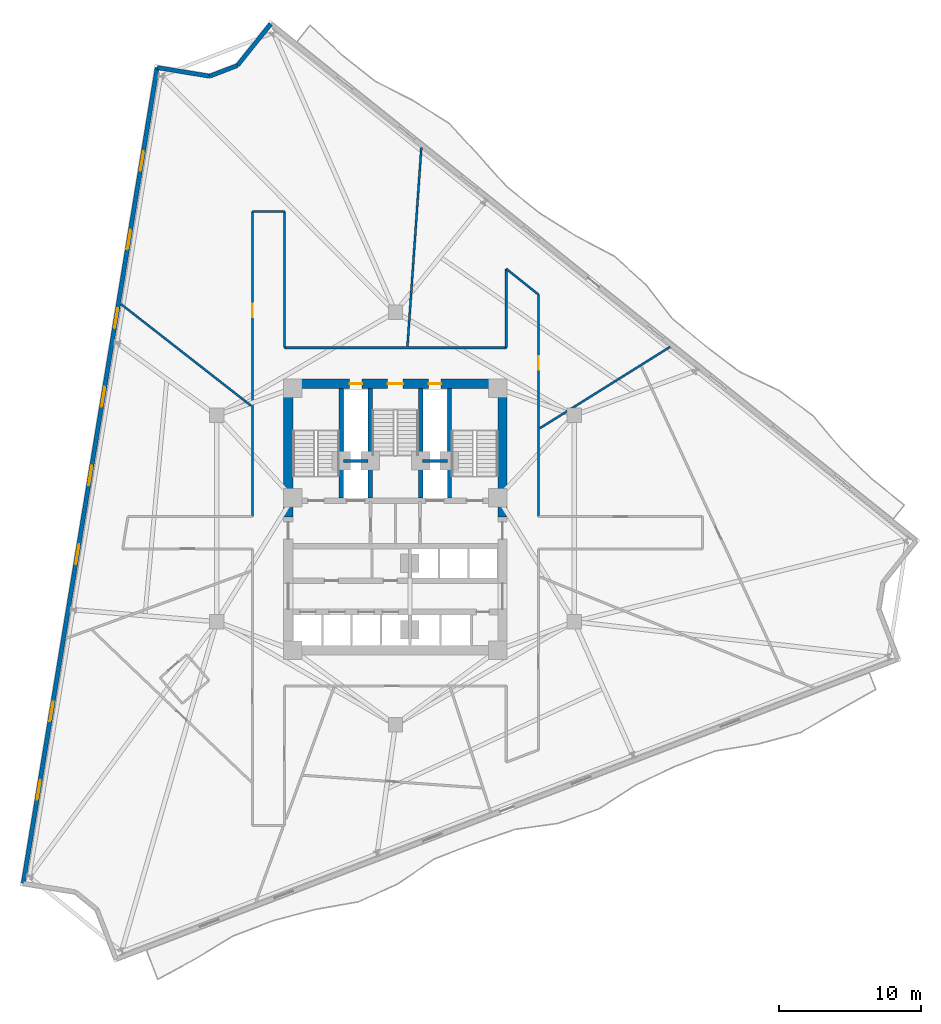
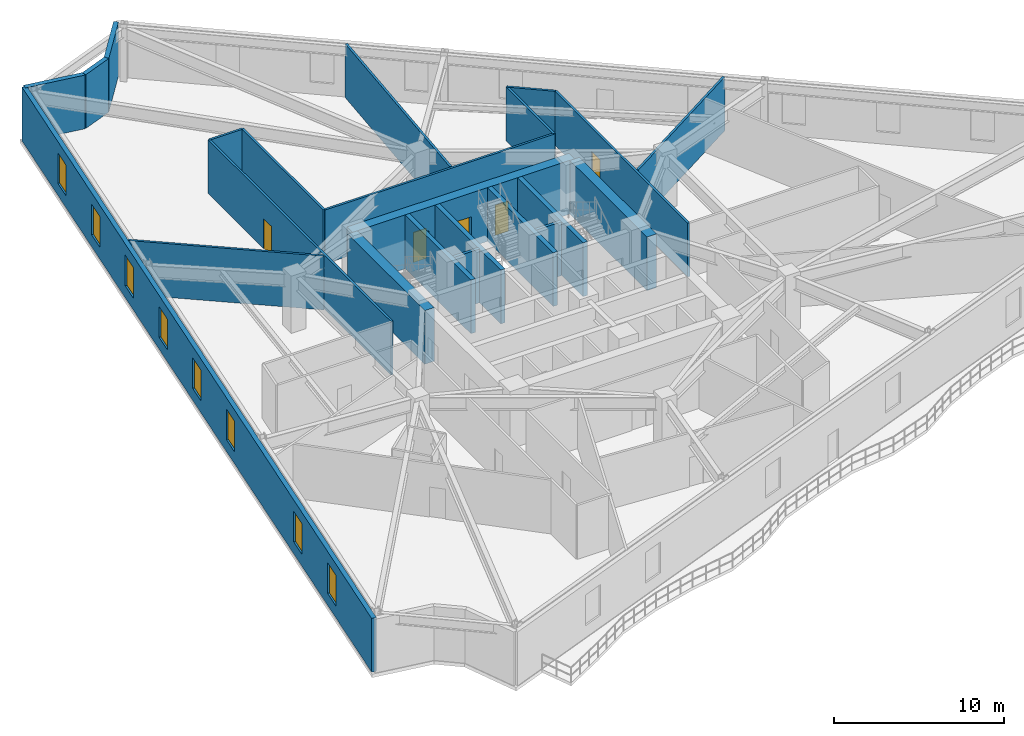
# One storey, part 6 of 10: 23 walls, 8 windows, 5 doors, 13 openings.
"""IFC4 building model written with IfcOpenShell, lengths in metres."""

import ifcopenshell
import ifcopenshell.guid

model = None  # the IFC model being written
_history = None  # IfcOwnerHistory: only IFC2X3 demands one
_inside = {}  # id of a spatial element -> (the spatial element, [elements in it])
_under = {}  # id of a project, library or spatial element -> (it, [spatial elements below it])
_declared = {}  # id of a project -> (the project, [libraries it declares])
_typed = {}  # id of a type object -> (the type object, [elements of that type])
_made_of = {}  # id of a material, layer set ... -> (it, [elements and type objects made of it])


def new_model(schema):
    """Start an empty IFC model of exactly this schema.

    Asked for "IFC4X3", IfcOpenShell would pick the latest addendum, in which some entities
    have other attributes; the version numbers below select the first issue.
    IFC2X3 requires an IfcOwnerHistory on every rooted entity: one is made here for all.
    """
    global model, _history
    if schema == "IFC4X3":
        model = ifcopenshell.file(schema_version=(4, 3, 0, 0))
    else:
        model = ifcopenshell.file(schema=schema)
    _inside.clear()
    _under.clear()
    _declared.clear()
    _typed.clear()
    _made_of.clear()
    _history = None
    if model.schema == "IFC2X3":
        org = make("IfcOrganization", Name="unknown")
        user = make(
            "IfcPersonAndOrganization",
            ThePerson=make("IfcPerson", FamilyName="unknown"),
            TheOrganization=org,
        )
        app = make(
            "IfcApplication",
            ApplicationDeveloper=org,
            Version="unknown",
            ApplicationFullName="unknown",
            ApplicationIdentifier="unknown",
        )
        _history = make(
            "IfcOwnerHistory",
            OwningUser=user,
            OwningApplication=app,
            ChangeAction="ADDED",
            CreationDate=0,
        )
    return model


def make(cls, **values):
    """One entity of the class cls with the attributes given. An attribute that is None is left unset."""
    return model.create_entity(
        cls, **{name: value for name, value in values.items() if value is not None}
    )


def rooted(cls, **values):
    """An entity with a GlobalId (a new one), such as an element, a storey or a relation."""
    return make(cls, GlobalId=ifcopenshell.guid.new(), OwnerHistory=_history, **values)


def si_unit(unit_type, name, prefix=None):
    """IfcSIUnit, for example si_unit("LENGTHUNIT", "METRE", prefix="MILLI")."""
    return make("IfcSIUnit", UnitType=unit_type, Prefix=prefix, Name=name)


def assignment(units):
    """IfcUnitAssignment: the units of a project."""
    return None if units is None else make("IfcUnitAssignment", Units=units)


def point(xyz):
    """IfcCartesianPoint."""
    return None if xyz is None else make("IfcCartesianPoint", Coordinates=xyz)


def direction(xyz):
    """IfcDirection."""
    return None if xyz is None else make("IfcDirection", DirectionRatios=xyz)


def frame(location, z_axis=None, x_axis=None):
    """IfcAxis2Placement3D, a coordinate frame: its origin and axes. An axis left out is left unset."""
    return make(
        "IfcAxis2Placement3D",
        Location=point(location),
        Axis=direction(z_axis),
        RefDirection=direction(x_axis),
    )


def frame_2d(location, x_axis=None):
    """IfcAxis2Placement2D, a coordinate frame in the plane: its origin and x axis."""
    return make(
        "IfcAxis2Placement2D", Location=point(location), RefDirection=direction(x_axis)
    )


def origin():
    """The frame at (0, 0, 0) with its axes left unset."""
    return frame((0.0, 0.0, 0.0))


def place(relative_to, where):
    """IfcLocalPlacement: puts the frame where relative to a parent placement (None: the world)."""
    return make(
        "IfcLocalPlacement", PlacementRelTo=relative_to, RelativePlacement=where
    )


def context(
    kind, dimensions, precision=None, world=None, true_north=None, identifier=None
):
    """IfcGeometricRepresentationContext, for example the 3D "Model" context."""
    return make(
        "IfcGeometricRepresentationContext",
        ContextIdentifier=identifier,
        ContextType=kind,
        CoordinateSpaceDimension=dimensions,
        Precision=precision,
        WorldCoordinateSystem=world,
        TrueNorth=true_north,
    )


def subcontext(parent, identifier, kind, view, scale=None):
    """IfcGeometricRepresentationSubContext, for example "Body" below "Model"."""
    return make(
        "IfcGeometricRepresentationSubContext",
        ContextIdentifier=identifier,
        ContextType=kind,
        ParentContext=parent,
        TargetScale=scale,
        TargetView=view,
    )


def project(units=None, contexts=None):
    """IfcProject with its units and contexts."""
    return rooted(
        "IfcProject",
        Name="project",
        RepresentationContexts=contexts,
        UnitsInContext=assignment(units),
    )


def spatial(cls, under=None, at=None, **own):
    """A site, building, storey or space (cls), placed at a placement, below another one or the project."""
    s = rooted(cls, ObjectPlacement=at, **own)
    if under is not None:
        _under.setdefault(under.id(), (under, []))[1].append(s)
    return s


def profile(cls, at=None, kind="AREA", **sizes):
    """A parametric profile (cls). Its sizes go by their IFC names, for example OverallWidth=200.0."""
    return make(cls, ProfileType=kind, Position=at, **sizes)


def rectangle(**sizes):
    """IfcRectangleProfileDef."""
    return profile("IfcRectangleProfileDef", **sizes)


def extrude(swept, where, along, depth):
    """IfcExtrudedAreaSolid: the profile swept, set in the frame where, extruded along a direction by depth."""
    return make(
        "IfcExtrudedAreaSolid",
        SweptArea=swept,
        Position=where,
        ExtrudedDirection=direction(along),
        Depth=depth,
    )


def shape(context_of_items, identifier, shape_type, items):
    """IfcShapeRepresentation: the items that make up one representation, for example the "Body"."""
    return make(
        "IfcShapeRepresentation",
        ContextOfItems=context_of_items,
        RepresentationIdentifier=identifier,
        RepresentationType=shape_type,
        Items=items,
    )


def material(Name=None, Category=None):
    """IfcMaterial."""
    return make("IfcMaterial", Name=Name, Category=Category)


def layer(
    of_material, thickness, ventilated=None, Name=None, Category=None, Priority=None
):
    """IfcMaterialLayer: one layer of a wall or slab, of a material (None: an air gap)."""
    return make(
        "IfcMaterialLayer",
        Material=of_material,
        LayerThickness=thickness,
        IsVentilated=ventilated,
        Name=Name,
        Category=Category,
        Priority=Priority,
    )


def layer_set(layers, Name=None):
    """IfcMaterialLayerSet."""
    return make("IfcMaterialLayerSet", MaterialLayers=layers, LayerSetName=Name)


def made_of(thing, what):
    """Note that an element or type object is made of a material, layer set ...; save() writes the relation."""
    if what is not None:
        _made_of.setdefault(what.id(), (what, []))[1].append(thing)
    return thing


def type_object(cls, material=None, **own):
    """A type object (cls), such as IfcWallType, which elements share."""
    return made_of(rooted(cls, **own), material)


def element(
    cls,
    number,
    at=None,
    inside=None,
    cuts=None,
    type_object=None,
    material=None,
    context=None,
    identifier="Body",
    shape_type=None,
    held_by="IfcProductDefinitionShape",
    body=None,
    shapes=None,
    **own,
):
    """One element of the class cls, such as IfcWall. Its Tag is "e" and its number.

    at: its placement. inside: the storey or other place that contains it. cuts: it is an
    opening in that element (IfcRelVoidsElement). A single representation is given by context,
    identifier, shape_type and body (its items); several are given by shapes. held_by: the class
    of the entity that holds the representations. save() writes the other relations.
    """
    e = rooted(cls, Tag="e%d" % number, ObjectPlacement=at, **own)
    if body is not None:
        shapes = [shape(context, identifier, shape_type, body)]
    if shapes is not None:
        e.Representation = make(held_by, Representations=shapes)
    if inside is not None:
        _inside.setdefault(inside.id(), (inside, []))[1].append(e)
    if cuts is not None:
        rooted(
            "IfcRelVoidsElement", RelatingBuildingElement=cuts, RelatedOpeningElement=e
        )
    if type_object is not None:
        _typed.setdefault(type_object.id(), (type_object, []))[1].append(e)
    return made_of(e, material)


def fill(opening, filler):
    """IfcRelFillsElement: the door or window that sits in an opening."""
    return rooted(
        "IfcRelFillsElement",
        RelatingOpeningElement=opening,
        RelatedBuildingElement=filler,
    )


def aggregate(whole, parts):
    """IfcRelAggregates: a whole, such as a stair, and the parts it consists of."""
    return rooted("IfcRelAggregates", RelatingObject=whole, RelatedObjects=parts)


def save(model, path):
    """Write the relations noted so far, then the file.

    IfcRelAggregates (storeys below a building ...), IfcRelContainedInSpatialStructure (elements
    in a storey), IfcRelDefinesByType, IfcRelAssociatesMaterial and IfcRelDeclares: one each for
    every whole, place, type object, material and project.
    """
    for whole, parts in _under.values():
        aggregate(whole, parts)
    for where, things in _inside.values():
        rooted(
            "IfcRelContainedInSpatialStructure",
            RelatedElements=things,
            RelatingStructure=where,
        )
    for kind, things in _typed.values():
        rooted("IfcRelDefinesByType", RelatedObjects=things, RelatingType=kind)
    for what, things in _made_of.values():
        rooted("IfcRelAssociatesMaterial", RelatedObjects=things, RelatingMaterial=what)
    for by, libraries in _declared.values():
        rooted("IfcRelDeclares", RelatingContext=by, RelatedDefinitions=libraries)
    model.write(path)


model = new_model("IFC4")

# Units and contexts
model_context = context("Model", 3, precision=1e-05, world=origin(), true_north=direction((0.0, 1.0)))
body_context = subcontext(model_context, "Body", "Model", "MODEL_VIEW")
ifc_project = project(units=[si_unit("LENGTHUNIT", "METRE"), si_unit("AREAUNIT", "SQUARE_METRE"), si_unit("VOLUMEUNIT", "CUBIC_METRE"), si_unit("PLANEANGLEUNIT", "RADIAN"), si_unit("MASSUNIT", "GRAM", prefix="KILO")], contexts=[model_context])

# Site, building, storey
site_placement = place(None, origin())
site = spatial("IfcSite", under=ifc_project, at=site_placement, CompositionType="ELEMENT")
building_placement = place(site_placement, origin())
building = spatial("IfcBuilding", under=site, at=building_placement, Name="Apsidion Concourse Tower", CompositionType="ELEMENT")
storey_placement = place(building_placement, frame((0.0, 0.0, 136.300048828125)))
storey = spatial("IfcBuildingStorey", under=building, at=storey_placement, Name="L31", CompositionType="ELEMENT", Elevation=136.300048828125)

# Wall, openings, windows
ifc_material_1 = material(Name="Precast concrete C40/50", Category="concrete")
ifc_layer_1 = layer(ifc_material_1, 0.300048828125)
ifc_layer_set_1 = layer_set([ifc_layer_1], Name="Precast concrete C40/50")
wall_type_1 = type_object("IfcWallType", Name="WL-EXT-300", PredefinedType="STANDARD", material=ifc_layer_set_1)
wall_1_placement = place(storey_placement, frame((-26.149658203125, -25.64013671875, 0.0), z_axis=(0.0, 0.0, 1.0), x_axis=(0.161975761987, 0.986794736776, 0.0)))
wall_1 = element("IfcWall", 1, at=wall_1_placement, inside=storey, type_object=wall_type_1, Name="L31 Precast Stone Facade Wall 09", PredefinedType="STANDARD", context=body_context, shape_type="SweptSolid", body=[
    extrude(rectangle(XDim=58.093017578125, YDim=0.300048828125, at=frame_2d((29.04638671875, 0.0))), origin(), (0.0, 0.0, 1.0), 3.849853515625),
])
opening_1_placement = place(wall_1_placement, frame((5.946533203125, 0.0, 0.85009765625)))
opening_1 = element("IfcOpeningElement", 2, at=opening_1_placement, cuts=wall_1, Name="Opening WN-05", PredefinedType="OPENING", context=body_context, shape_type="SweptSolid", body=[
    extrude(rectangle(XDim=1.39990234375, YDim=2.199951171875, at=frame_2d((0.699951171875, 1.10009765625))), frame((0.0, 0.16015625, 0.0), z_axis=(0.0, -1.0, 0.0), x_axis=(1.0, 0.0, 0.0)), (0.0, 0.0, 1.0), 0.320068359375),
])
opening_2_placement = place(wall_1_placement, frame((11.54638671875, 0.0, 0.85009765625)))
opening_2 = element("IfcOpeningElement", 3, at=opening_2_placement, cuts=wall_1, Name="Opening WN-05", PredefinedType="OPENING", context=body_context, shape_type="SweptSolid", body=[
    extrude(rectangle(XDim=1.39990234375, YDim=2.199951171875, at=frame_2d((0.699951171875, 1.10009765625))), frame((0.0, 0.16015625, 0.0), z_axis=(0.0, -1.0, 0.0), x_axis=(1.0, 0.0, 0.0)), (0.0, 0.0, 1.0), 0.320068359375),
])
opening_3_placement = place(wall_1_placement, frame((22.74658203125, 0.0, 0.85009765625)))
opening_3 = element("IfcOpeningElement", 4, at=opening_3_placement, cuts=wall_1, Name="Opening WN-05", PredefinedType="OPENING", context=body_context, shape_type="SweptSolid", body=[
    extrude(rectangle(XDim=1.39990234375, YDim=2.199951171875, at=frame_2d((0.699951171875, 1.10009765625))), frame((0.0, 0.16015625, 0.0), z_axis=(0.0, -1.0, 0.0), x_axis=(1.0, 0.0, 0.0)), (0.0, 0.0, 1.0), 0.320068359375),
])
opening_4_placement = place(wall_1_placement, frame((28.346435546875, 0.0, 0.85009765625)))
opening_4 = element("IfcOpeningElement", 5, at=opening_4_placement, cuts=wall_1, Name="Opening WN-05", PredefinedType="OPENING", context=body_context, shape_type="SweptSolid", body=[
    extrude(rectangle(XDim=1.39990234375, YDim=2.199951171875, at=frame_2d((0.699951171875, 1.10009765625))), frame((0.0, 0.16015625, 0.0), z_axis=(0.0, -1.0, 0.0), x_axis=(1.0, 0.0, 0.0)), (0.0, 0.0, 1.0), 0.320068359375),
])
opening_5_placement = place(wall_1_placement, frame((33.946533203125, 0.0, 0.85009765625)))
opening_5 = element("IfcOpeningElement", 6, at=opening_5_placement, cuts=wall_1, Name="Opening WN-05", PredefinedType="OPENING", context=body_context, shape_type="SweptSolid", body=[
    extrude(rectangle(XDim=1.39990234375, YDim=2.199951171875, at=frame_2d((0.699951171875, 1.10009765625))), frame((0.0, 0.16015625, 0.0), z_axis=(0.0, -1.0, 0.0), x_axis=(1.0, 0.0, 0.0)), (0.0, 0.0, 1.0), 0.320068359375),
])
opening_6_placement = place(wall_1_placement, frame((39.54638671875, 0.0, 0.85009765625)))
opening_6 = element("IfcOpeningElement", 7, at=opening_6_placement, cuts=wall_1, Name="Opening WN-05", PredefinedType="OPENING", context=body_context, shape_type="SweptSolid", body=[
    extrude(rectangle(XDim=1.39990234375, YDim=2.199951171875, at=frame_2d((0.699951171875, 1.10009765625))), frame((0.0, 0.16015625, 0.0), z_axis=(0.0, -1.0, 0.0), x_axis=(1.0, 0.0, 0.0)), (0.0, 0.0, 1.0), 0.320068359375),
])
opening_7_placement = place(wall_1_placement, frame((45.146484375, 0.0, 0.85009765625)))
opening_7 = element("IfcOpeningElement", 8, at=opening_7_placement, cuts=wall_1, Name="Opening WN-05", PredefinedType="OPENING", context=body_context, shape_type="SweptSolid", body=[
    extrude(rectangle(XDim=1.39990234375, YDim=2.199951171875, at=frame_2d((0.699951171875, 1.10009765625))), frame((0.0, 0.16015625, 0.0), z_axis=(0.0, -1.0, 0.0), x_axis=(1.0, 0.0, 0.0)), (0.0, 0.0, 1.0), 0.320068359375),
])
opening_8_placement = place(wall_1_placement, frame((50.74658203125, 0.0, 0.85009765625)))
opening_8 = element("IfcOpeningElement", 9, at=opening_8_placement, cuts=wall_1, Name="Opening WN-05", PredefinedType="OPENING", context=body_context, shape_type="SweptSolid", body=[
    extrude(rectangle(XDim=1.39990234375, YDim=2.199951171875, at=frame_2d((0.699951171875, 1.10009765625))), frame((0.0, 0.16015625, 0.0), z_axis=(0.0, -1.0, 0.0), x_axis=(1.0, 0.0, 0.0)), (0.0, 0.0, 1.0), 0.320068359375),
])
ifc_material_2 = material(Name="Insulated laminated low-E glass", Category="glass")
window_type = type_object("IfcWindowType", Name="WN-OFF-1424", PartitioningType="SINGLE_PANEL", PredefinedType="WINDOW", material=ifc_material_2)
window_1_placement = place(opening_1_placement, origin())
window_1 = element("IfcWindow", 10, at=window_1_placement, inside=storey, type_object=window_type, Name="L31 Punched Facade Window 9-01", OverallHeight=2.199951171875, OverallWidth=1.39990234375, PartitioningType="SINGLE_PANEL", PredefinedType="WINDOW", context=body_context, shape_type="SweptSolid", body=[
    extrude(rectangle(XDim=1.39990234375, YDim=2.199951171875, at=frame_2d((0.699951171875, 1.10009765625))), frame((0.0, 0.030029296875, 0.0), z_axis=(0.0, -1.0, 0.0), x_axis=(1.0, 0.0, 0.0)), (0.0, 0.0, 1.0), 0.06005859375),
])
fill(opening_1, window_1)
window_2_placement = place(opening_2_placement, origin())
window_2 = element("IfcWindow", 11, at=window_2_placement, inside=storey, type_object=window_type, Name="L31 Punched Facade Window 9-02", OverallHeight=2.199951171875, OverallWidth=1.39990234375, PartitioningType="SINGLE_PANEL", PredefinedType="WINDOW", context=body_context, shape_type="SweptSolid", body=[
    extrude(rectangle(XDim=1.39990234375, YDim=2.199951171875, at=frame_2d((0.699951171875, 1.10009765625))), frame((0.0, 0.030029296875, 0.0), z_axis=(0.0, -1.0, 0.0), x_axis=(1.0, 0.0, 0.0)), (0.0, 0.0, 1.0), 0.06005859375),
])
fill(opening_2, window_2)
window_3_placement = place(opening_3_placement, origin())
window_3 = element("IfcWindow", 12, at=window_3_placement, inside=storey, type_object=window_type, Name="L31 Punched Facade Window 9-04", OverallHeight=2.199951171875, OverallWidth=1.39990234375, PartitioningType="SINGLE_PANEL", PredefinedType="WINDOW", context=body_context, shape_type="SweptSolid", body=[
    extrude(rectangle(XDim=1.39990234375, YDim=2.199951171875, at=frame_2d((0.699951171875, 1.10009765625))), frame((0.0, 0.030029296875, 0.0), z_axis=(0.0, -1.0, 0.0), x_axis=(1.0, 0.0, 0.0)), (0.0, 0.0, 1.0), 0.06005859375),
])
fill(opening_3, window_3)
window_4_placement = place(opening_4_placement, origin())
window_4 = element("IfcWindow", 13, at=window_4_placement, inside=storey, type_object=window_type, Name="L31 Punched Facade Window 9-05", OverallHeight=2.199951171875, OverallWidth=1.39990234375, PartitioningType="SINGLE_PANEL", PredefinedType="WINDOW", context=body_context, shape_type="SweptSolid", body=[
    extrude(rectangle(XDim=1.39990234375, YDim=2.199951171875, at=frame_2d((0.699951171875, 1.10009765625))), frame((0.0, 0.030029296875, 0.0), z_axis=(0.0, -1.0, 0.0), x_axis=(1.0, 0.0, 0.0)), (0.0, 0.0, 1.0), 0.06005859375),
])
fill(opening_4, window_4)
window_5_placement = place(opening_5_placement, origin())
window_5 = element("IfcWindow", 14, at=window_5_placement, inside=storey, type_object=window_type, Name="L31 Punched Facade Window 9-06", OverallHeight=2.199951171875, OverallWidth=1.39990234375, PartitioningType="SINGLE_PANEL", PredefinedType="WINDOW", context=body_context, shape_type="SweptSolid", body=[
    extrude(rectangle(XDim=1.39990234375, YDim=2.199951171875, at=frame_2d((0.699951171875, 1.10009765625))), frame((0.0, 0.030029296875, 0.0), z_axis=(0.0, -1.0, 0.0), x_axis=(1.0, 0.0, 0.0)), (0.0, 0.0, 1.0), 0.06005859375),
])
fill(opening_5, window_5)
window_6_placement = place(opening_6_placement, origin())
window_6 = element("IfcWindow", 15, at=window_6_placement, inside=storey, type_object=window_type, Name="L31 Punched Facade Window 9-07", OverallHeight=2.199951171875, OverallWidth=1.39990234375, PartitioningType="SINGLE_PANEL", PredefinedType="WINDOW", context=body_context, shape_type="SweptSolid", body=[
    extrude(rectangle(XDim=1.39990234375, YDim=2.199951171875, at=frame_2d((0.699951171875, 1.10009765625))), frame((0.0, 0.030029296875, 0.0), z_axis=(0.0, -1.0, 0.0), x_axis=(1.0, 0.0, 0.0)), (0.0, 0.0, 1.0), 0.06005859375),
])
fill(opening_6, window_6)
window_7_placement = place(opening_7_placement, origin())
window_7 = element("IfcWindow", 16, at=window_7_placement, inside=storey, type_object=window_type, Name="L31 Punched Facade Window 9-08", OverallHeight=2.199951171875, OverallWidth=1.39990234375, PartitioningType="SINGLE_PANEL", PredefinedType="WINDOW", context=body_context, shape_type="SweptSolid", body=[
    extrude(rectangle(XDim=1.39990234375, YDim=2.199951171875, at=frame_2d((0.699951171875, 1.10009765625))), frame((0.0, 0.030029296875, 0.0), z_axis=(0.0, -1.0, 0.0), x_axis=(1.0, 0.0, 0.0)), (0.0, 0.0, 1.0), 0.06005859375),
])
fill(opening_7, window_7)
window_8_placement = place(opening_8_placement, origin())
window_8 = element("IfcWindow", 17, at=window_8_placement, inside=storey, type_object=window_type, Name="L31 Punched Facade Window 9-09", OverallHeight=2.199951171875, OverallWidth=1.39990234375, PartitioningType="SINGLE_PANEL", PredefinedType="WINDOW", context=body_context, shape_type="SweptSolid", body=[
    extrude(rectangle(XDim=1.39990234375, YDim=2.199951171875, at=frame_2d((0.699951171875, 1.10009765625))), frame((0.0, 0.030029296875, 0.0), z_axis=(0.0, -1.0, 0.0), x_axis=(1.0, 0.0, 0.0)), (0.0, 0.0, 1.0), 0.06005859375),
])
fill(opening_8, window_8)

# Walls
wall_2_placement = place(storey_placement, frame((-16.739990234375, 31.685791015625, 0.0), z_axis=(0.0, 0.0, 1.0), x_axis=(0.986793455184, -0.161983569556, 0.0)))
element("IfcWall", 18, at=wall_2_placement, inside=storey, type_object=wall_type_1, Name="L31 Precast Stone Facade Wall 10", PredefinedType="STANDARD", context=body_context, shape_type="SweptSolid", body=[
    extrude(rectangle(XDim=3.73779296875, YDim=0.300048828125, at=frame_2d((1.868896484375, 0.0))), origin(), (0.0, 0.0, 1.0), 3.849853515625),
])
wall_3_placement = place(storey_placement, frame((-13.051513671875, 31.080322265625, 0.0), z_axis=(0.0, 0.0, 1.0), x_axis=(0.933582919313, 0.35836145547, 0.0)))
element("IfcWall", 19, at=wall_3_placement, inside=storey, type_object=wall_type_1, Name="L31 Precast Stone Facade Wall 11", PredefinedType="STANDARD", context=body_context, shape_type="SweptSolid", body=[
    extrude(rectangle(XDim=2.0927734375, YDim=0.300048828125, at=frame_2d((1.04638671875, 0.0))), origin(), (0.0, 0.0, 1.0), 3.849853515625),
])
wall_4_placement = place(storey_placement, frame((-11.09765625, 31.830322265625, 0.0), z_axis=(0.0, 0.0, 1.0), x_axis=(0.624949908599, 0.78066485238, 0.0)))
element("IfcWall", 20, at=wall_4_placement, inside=storey, type_object=wall_type_1, Name="L31 Precast Stone Facade Wall 12", PredefinedType="STANDARD", context=body_context, shape_type="SweptSolid", body=[
    extrude(rectangle(XDim=3.73779296875, YDim=0.300048828125, at=frame_2d((1.868896484375, 0.0))), origin(), (0.0, 0.0, 1.0), 3.849853515625),
])

# Wall, opening, door
ifc_material_3 = material(Name="Gypsum plasterboard partition")
ifc_layer_2 = layer(ifc_material_3, 0.14990234375)
ifc_layer_set_2 = layer_set([ifc_layer_2], Name="Gypsum plasterboard partition")
wall_type_2 = type_object("IfcWallType", Name="WL-INT-PAR-150", PredefinedType="PARTITIONING", material=ifc_layer_set_2)
wall_5_placement = place(storey_placement, frame((-10.050048828125, 0.1298828125, 0.0), z_axis=(0.0, 0.0, 1.0), x_axis=(0.0, 1.0, 0.0)))
wall_5 = element("IfcWall", 21, at=wall_5_placement, inside=storey, type_object=wall_type_2, Name="L31 Interior Partition WL-L31-CORR-10", PredefinedType="PARTITIONING", context=body_context, shape_type="SweptSolid", body=[
    extrude(rectangle(XDim=21.4501953125, YDim=0.14990234375, at=frame_2d((10.72509765625, 0.0))), origin(), (0.0, 0.0, 1.0), 3.849853515625),
])
opening_9_placement = place(wall_5_placement, frame((14.025146484375, 0.0, 0.0)))
opening_9 = element("IfcOpeningElement", 22, at=opening_9_placement, cuts=wall_5, Name="Opening D-01L", PredefinedType="OPENING", context=body_context, shape_type="SweptSolid", body=[
    extrude(rectangle(XDim=0.949951171875, YDim=2.14990234375, at=frame_2d((0.47509765625, 1.074951171875))), frame((0.0, 0.0849609375, 0.0), z_axis=(0.0, -1.0, 0.0), x_axis=(1.0, 0.0, 0.0)), (0.0, 0.0, 1.0), 0.169921875),
])
ifc_material_4 = material(Name="Brushed stainless steel 316", Category="steel")
door_type_1 = type_object("IfcDoorType", Name="DR-INT-D01L", OperationType="SINGLE_SWING_LEFT", PredefinedType="DOOR", material=ifc_material_4)
door_1_placement = place(opening_9_placement, origin())
door_1 = element("IfcDoor", 23, at=door_1_placement, inside=storey, type_object=door_type_1, Name="L31 Corridor Entry Door 07", OperationType="SINGLE_SWING_LEFT", OverallHeight=2.14990234375, OverallWidth=0.949951171875, PredefinedType="DOOR", context=body_context, shape_type="SweptSolid", body=[
    extrude(rectangle(XDim=0.949951171875, YDim=2.14990234375, at=frame_2d((0.47509765625, 1.074951171875))), frame((0.0, 0.02490234375, 0.0), z_axis=(0.0, -1.0, 0.0), x_axis=(1.0, 0.0, 0.0)), (0.0, 0.0, 1.0), 0.050048828125),
])
fill(opening_9, door_1)

# Walls
wall_6_placement = place(storey_placement, frame((-10.050048828125, 21.580078125, 0.0), z_axis=(0.0, 0.0, 1.0), x_axis=(1.0, 0.0, 0.0)))
element("IfcWall", 24, at=wall_6_placement, inside=storey, type_object=wall_type_2, Name="L31 Interior Partition WL-L31-CORR-11", PredefinedType="PARTITIONING", context=body_context, shape_type="SweptSolid", body=[
    extrude(rectangle(XDim=2.260009765625, YDim=0.14990234375, at=frame_2d((1.1298828125, 0.0))), origin(), (0.0, 0.0, 1.0), 3.849853515625),
])
wall_7_placement = place(storey_placement, frame((-7.7900390625, 21.580078125, 0.0), z_axis=(0.0, 0.0, 1.0), x_axis=(0.0, -1.0, 0.0)))
element("IfcWall", 25, at=wall_7_placement, inside=storey, type_object=wall_type_2, Name="L31 Interior Partition WL-L31-CORR-12", PredefinedType="PARTITIONING", context=body_context, shape_type="SweptSolid", body=[
    extrude(rectangle(XDim=9.580078125, YDim=0.14990234375, at=frame_2d((4.7900390625, 0.0))), origin(), (0.0, 0.0, 1.0), 3.849853515625),
])
wall_8_placement = place(storey_placement, frame((-7.7900390625, 12.0, 0.0), z_axis=(0.0, 0.0, 1.0), x_axis=(1.0, 0.0, 0.0)))
element("IfcWall", 26, at=wall_8_placement, inside=storey, type_object=wall_type_2, Name="L31 Interior Partition WL-L31-CORR-13", PredefinedType="PARTITIONING", context=body_context, shape_type="SweptSolid", body=[
    extrude(rectangle(XDim=15.580078125, YDim=0.14990234375, at=frame_2d((7.7900390625, 0.0))), origin(), (0.0, 0.0, 1.0), 3.849853515625),
])
wall_9_placement = place(storey_placement, frame((7.7900390625, 12.0, 0.0), z_axis=(0.0, 0.0, 1.0), x_axis=(0.0, 1.0, 0.0)))
element("IfcWall", 27, at=wall_9_placement, inside=storey, type_object=wall_type_2, Name="L31 Interior Partition WL-L31-CORR-14", PredefinedType="PARTITIONING", context=body_context, shape_type="SweptSolid", body=[
    extrude(rectangle(XDim=5.546630859375, YDim=0.14990234375, at=frame_2d((2.7734375, 0.0))), origin(), (0.0, 0.0, 1.0), 3.849853515625),
])
wall_10_placement = place(storey_placement, frame((7.7900390625, 17.546630859375, 0.0), z_axis=(0.0, 0.0, 1.0), x_axis=(0.780646621428, -0.624972681366, 0.0)))
element("IfcWall", 28, at=wall_10_placement, inside=storey, type_object=wall_type_2, Name="L31 Interior Partition WL-L31-CORR-15", PredefinedType="PARTITIONING", context=body_context, shape_type="SweptSolid", body=[
    extrude(rectangle(XDim=2.89501953125, YDim=0.14990234375, at=frame_2d((1.447509765625, 0.0))), origin(), (0.0, 0.0, 1.0), 3.849853515625),
])

# Wall, opening, door
wall_11_placement = place(storey_placement, frame((10.050048828125, 15.7373046875, 0.0), z_axis=(0.0, 0.0, 1.0), x_axis=(0.0, -1.0, 0.0)))
wall_11 = element("IfcWall", 29, at=wall_11_placement, inside=storey, type_object=wall_type_2, Name="L31 Interior Partition WL-L31-CORR-16", PredefinedType="PARTITIONING", context=body_context, shape_type="SweptSolid", body=[
    extrude(rectangle(XDim=15.607421875, YDim=0.14990234375, at=frame_2d((7.8037109375, 0.0))), origin(), (0.0, 0.0, 1.0), 3.849853515625),
])
opening_10_placement = place(wall_11_placement, frame((4.34912109375, 0.0, 0.0)))
opening_10 = element("IfcOpeningElement", 30, at=opening_10_placement, cuts=wall_11, Name="Opening D-01R", PredefinedType="OPENING", context=body_context, shape_type="SweptSolid", body=[
    extrude(rectangle(XDim=0.949951171875, YDim=2.14990234375, at=frame_2d((0.47509765625, 1.074951171875))), frame((0.0, 0.0849609375, 0.0), z_axis=(0.0, -1.0, 0.0), x_axis=(1.0, 0.0, 0.0)), (0.0, 0.0, 1.0), 0.169921875),
])
door_type_2 = type_object("IfcDoorType", Name="DR-INT-D01R", OperationType="SINGLE_SWING_RIGHT", PredefinedType="DOOR", material=ifc_material_4)
door_2_placement = place(opening_10_placement, origin())
door_2 = element("IfcDoor", 31, at=door_2_placement, inside=storey, type_object=door_type_2, Name="L31 Corridor Entry Door 06", OperationType="SINGLE_SWING_RIGHT", OverallHeight=2.14990234375, OverallWidth=0.949951171875, PredefinedType="DOOR", context=body_context, shape_type="SweptSolid", body=[
    extrude(rectangle(XDim=0.949951171875, YDim=2.14990234375, at=frame_2d((0.47509765625, 1.074951171875))), frame((0.0, 0.02490234375, 0.0), z_axis=(0.0, -1.0, 0.0), x_axis=(1.0, 0.0, 0.0)), (0.0, 0.0, 1.0), 0.050048828125),
])
fill(opening_10, door_2)

# Walls
wall_12_placement = place(storey_placement, frame((10.155029296875, 6.345458984375, 0.0), z_axis=(0.0, 0.0, 1.0), x_axis=(0.848042773612, 0.52992778199, 0.0)))
element("IfcWall", 32, at=wall_12_placement, inside=storey, type_object=wall_type_2, Name="L31 Interior Partition WL-L31-RAD-01-1", PredefinedType="PARTITIONING", context=body_context, shape_type="SweptSolid", body=[
    extrude(rectangle(XDim=10.79443359375, YDim=0.14990234375, at=frame_2d((5.397216796875, 0.0))), origin(), (0.0, 0.0, 1.0), 3.849853515625),
])
wall_13_placement = place(storey_placement, frame((0.846435546875, 12.10498046875, 0.0), z_axis=(0.0, 0.0, 1.0), x_axis=(0.069754122886, 0.997564214645, 0.0)))
element("IfcWall", 33, at=wall_13_placement, inside=storey, type_object=wall_type_2, Name="L31 Interior Partition WL-L31-RAD-02-1", PredefinedType="PARTITIONING", context=body_context, shape_type="SweptSolid", body=[
    extrude(rectangle(XDim=13.9931640625, YDim=0.14990234375, at=frame_2d((6.99658203125, 0.0))), origin(), (0.0, 0.0, 1.0), 3.849853515625),
])
wall_14_placement = place(storey_placement, frame((-10.155029296875, 7.93408203125, 0.0), z_axis=(0.0, 0.0, 1.0), x_axis=(-0.788015761104, 0.615655065967, 0.0)))
element("IfcWall", 34, at=wall_14_placement, inside=storey, type_object=wall_type_2, Name="L31 Interior Partition WL-L31-RAD-03-1", PredefinedType="PARTITIONING", context=body_context, shape_type="SweptSolid", body=[
    extrude(rectangle(XDim=11.603515625, YDim=0.14990234375, at=frame_2d((5.8017578125, 0.0))), origin(), (0.0, 0.0, 1.0), 3.849853515625),
])
ifc_layer_3 = layer(ifc_material_3, 0.199951171875)
ifc_layer_set_3 = layer_set([ifc_layer_3], Name="Gypsum plasterboard partition")
wall_type_3 = type_object("IfcWallType", Name="WL-INT-PAR-200", PredefinedType="PARTITIONING", material=ifc_layer_set_3)
for number, where, z_axis, x_axis, name in (
    (35, (-3.64990234375, 4.050048828125, 0.0), (0.0, 0.0, 1.0), (1.0, 0.0, 0.0), "L31 Interior Partition WL-L31-FF1-N"),
    (36, (1.919921875, 4.050048828125, 0.0), (0.0, 0.0, 1.0), (1.0, 0.0, 0.0), "L31 Interior Partition WL-L31-FF2-N"),
):
    element("IfcWall", number, at=place(storey_placement, frame(where, z_axis=z_axis, x_axis=x_axis)), inside=storey, type_object=wall_type_3, Name=name, PredefinedType="PARTITIONING", context=body_context, shape_type="SweptSolid", body=[
        extrude(rectangle(XDim=1.72998046875, YDim=0.199951171875, at=frame_2d((0.864990234375, 0.0))), origin(), (0.0, 0.0, 1.0), 3.849853515625),
    ])
ifc_material_5 = material(Name="Concrete C50/60", Category="concrete")
ifc_layer_4 = layer(ifc_material_5, 0.300048828125)
ifc_layer_set_4 = layer_set([ifc_layer_4], Name="Concrete C50/60")
wall_type_4 = type_object("IfcWallType", Name="WL-SH-300", PredefinedType="SHEAR", material=ifc_layer_set_4)
for number, where, z_axis, x_axis, name in (
    (37, (-3.800048828125, 1.449951171875, 0.0), (0.0, 0.0, 1.0), (0.0, 1.0, 0.0), "L31 Central Core Shear Wall V1"),
    (38, (-1.77490234375, 1.449951171875, 0.0), (0.0, 0.0, 1.0), (0.0, 1.0, 0.0), "L31 Central Core Shear Wall V2"),
    (39, (1.77490234375, 1.449951171875, 0.0), (0.0, 0.0, 1.0), (0.0, 1.0, 0.0), "L31 Central Core Shear Wall V3"),
    (40, (3.800048828125, 1.449951171875, 0.0), (0.0, 0.0, 1.0), (0.0, 1.0, 0.0), "L31 Central Core Shear Wall V4"),
):
    element("IfcWall", number, at=place(storey_placement, frame(where, z_axis=z_axis, x_axis=x_axis)), inside=storey, type_object=wall_type_4, Name=name, PredefinedType="SHEAR", context=body_context, shape_type="SweptSolid", body=[
        extrude(rectangle(XDim=7.699951171875, YDim=0.300048828125, at=frame_2d((3.85009765625, 0.0))), origin(), (0.0, 0.0, 1.0), 3.849853515625),
    ])

# Wall, openings, doors
ifc_layer_5 = layer(ifc_material_5, 0.64990234375)
ifc_layer_set_5 = layer_set([ifc_layer_5], Name="Concrete C50/60")
wall_type_5 = type_object("IfcWallType", Name="WL-SH-650", PredefinedType="SHEAR", material=ifc_layer_set_5)
wall_15_placement = place(storey_placement, frame((-7.52490234375, 9.47509765625, 0.0), z_axis=(0.0, 0.0, 1.0), x_axis=(1.0, 0.0, 0.0)))
wall_15 = element("IfcWall", 41, at=wall_15_placement, inside=storey, type_object=wall_type_5, Name="L31 Central Core Shear Wall N", PredefinedType="SHEAR", context=body_context, shape_type="SweptSolid", body=[
    extrude(rectangle(XDim=15.0498046875, YDim=0.64990234375, at=frame_2d((7.52490234375, 0.0))), origin(), (0.0, 0.0, 1.0), 3.849853515625),
])
opening_11_placement = place(wall_15_placement, frame((6.97509765625, 0.0, 0.0)))
opening_11 = element("IfcOpeningElement", 42, at=opening_11_placement, cuts=wall_15, Name="Opening D-STL", PredefinedType="OPENING", context=body_context, shape_type="SweptSolid", body=[
    extrude(rectangle(XDim=1.10009765625, YDim=2.14990234375, at=frame_2d((0.550048828125, 1.074951171875))), frame((0.0, 0.3349609375, 0.0), z_axis=(0.0, -1.0, 0.0), x_axis=(1.0, 0.0, 0.0)), (0.0, 0.0, 1.0), 0.669921875),
])
opening_12_placement = place(wall_15_placement, frame((4.304931640625, 0.0, 0.0)))
opening_12 = element("IfcOpeningElement", 43, at=opening_12_placement, cuts=wall_15, Name="Opening D-05L", PredefinedType="OPENING", context=body_context, shape_type="SweptSolid", body=[
    extrude(rectangle(XDim=0.8798828125, YDim=2.14990234375, at=frame_2d((0.43994140625, 1.074951171875))), frame((0.0, 0.3349609375, 0.0), z_axis=(0.0, -1.0, 0.0), x_axis=(1.0, 0.0, 0.0)), (0.0, 0.0, 1.0), 0.669921875),
])
opening_13_placement = place(wall_15_placement, frame((9.864990234375, 0.0, 0.0)))
opening_13 = element("IfcOpeningElement", 44, at=opening_13_placement, cuts=wall_15, Name="Opening D-05R", PredefinedType="OPENING", context=body_context, shape_type="SweptSolid", body=[
    extrude(rectangle(XDim=0.8798828125, YDim=2.14990234375, at=frame_2d((0.43994140625, 1.074951171875))), frame((0.0, 0.3349609375, 0.0), z_axis=(0.0, -1.0, 0.0), x_axis=(1.0, 0.0, 0.0)), (0.0, 0.0, 1.0), 0.669921875),
])
door_type_3 = type_object("IfcDoorType", Name="DR-INT-D05L", OperationType="SINGLE_SWING_LEFT", PredefinedType="DOOR", material=ifc_material_4)
door_3_placement = place(opening_12_placement, origin())
door_3 = element("IfcDoor", 45, at=door_3_placement, inside=storey, type_object=door_type_3, Name="L31 Electrical Riser Shaft Access Door", OperationType="SINGLE_SWING_LEFT", OverallHeight=2.14990234375, OverallWidth=0.8798828125, PredefinedType="DOOR", context=body_context, shape_type="SweptSolid", body=[
    extrude(rectangle(XDim=0.8798828125, YDim=2.14990234375, at=frame_2d((0.43994140625, 1.074951171875))), frame((0.0, 0.02490234375, 0.0), z_axis=(0.0, -1.0, 0.0), x_axis=(1.0, 0.0, 0.0)), (0.0, 0.0, 1.0), 0.050048828125),
])
fill(opening_12, door_3)
door_type_4 = type_object("IfcDoorType", Name="DR-INT-D05R", OperationType="SINGLE_SWING_RIGHT", PredefinedType="DOOR", material=ifc_material_4)
door_4_placement = place(opening_13_placement, origin())
door_4 = element("IfcDoor", 46, at=door_4_placement, inside=storey, type_object=door_type_4, Name="L31 Mechanical Riser Shaft Access Door", OperationType="SINGLE_SWING_RIGHT", OverallHeight=2.14990234375, OverallWidth=0.8798828125, PredefinedType="DOOR", context=body_context, shape_type="SweptSolid", body=[
    extrude(rectangle(XDim=0.8798828125, YDim=2.14990234375, at=frame_2d((0.43994140625, 1.074951171875))), frame((0.0, 0.02490234375, 0.0), z_axis=(0.0, -1.0, 0.0), x_axis=(1.0, 0.0, 0.0)), (0.0, 0.0, 1.0), 0.050048828125),
])
fill(opening_13, door_4)
door_type_5 = type_object("IfcDoorType", Name="DR-INT-ST1L", OperationType="SINGLE_SWING_LEFT", PredefinedType="DOOR", material=ifc_material_4)
door_5_placement = place(opening_11_placement, origin())
door_5 = element("IfcDoor", 47, at=door_5_placement, inside=storey, type_object=door_type_5, Name="L31 Core Exit Stair ST3 Door", OperationType="SINGLE_SWING_LEFT", OverallHeight=2.14990234375, OverallWidth=1.10009765625, PredefinedType="DOOR", context=body_context, shape_type="SweptSolid", body=[
    extrude(rectangle(XDim=1.10009765625, YDim=2.14990234375, at=frame_2d((0.550048828125, 1.074951171875))), frame((0.0, 0.02490234375, 0.0), z_axis=(0.0, -1.0, 0.0), x_axis=(1.0, 0.0, 0.0)), (0.0, 0.0, 1.0), 0.050048828125),
])
fill(opening_11, door_5)

# Walls
for number, where, z_axis, x_axis, name in (
    (48, (-7.52490234375, 0.10009765625, 0.0), (0.0, 0.0, 1.0), (0.0, 1.0, 0.0), "L31 Central Core Shear Wall WN"),
    (49, (7.52490234375, 0.10009765625, 0.0), (0.0, 0.0, 1.0), (0.0, 1.0, 0.0), "L31 Central Core Shear Wall EN"),
):
    element("IfcWall", number, at=place(storey_placement, frame(where, z_axis=z_axis, x_axis=x_axis)), inside=storey, type_object=wall_type_5, Name=name, PredefinedType="SHEAR", context=body_context, shape_type="SweptSolid", body=[
        extrude(rectangle(XDim=9.0498046875, YDim=0.64990234375, at=frame_2d((4.52490234375, 0.0))), origin(), (0.0, 0.0, 1.0), 3.849853515625),
    ])

save(model, "model.ifc")
